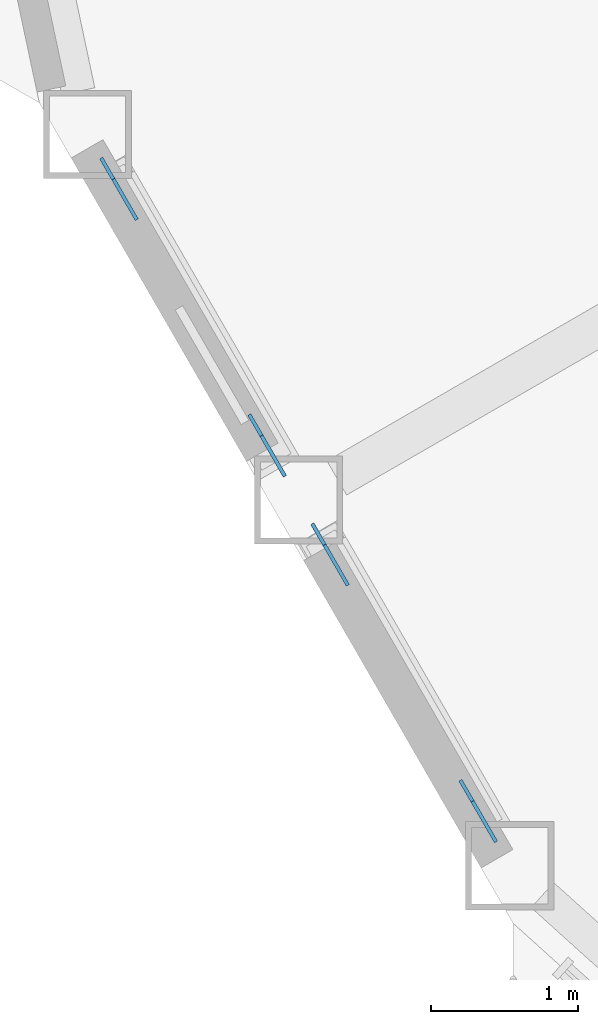
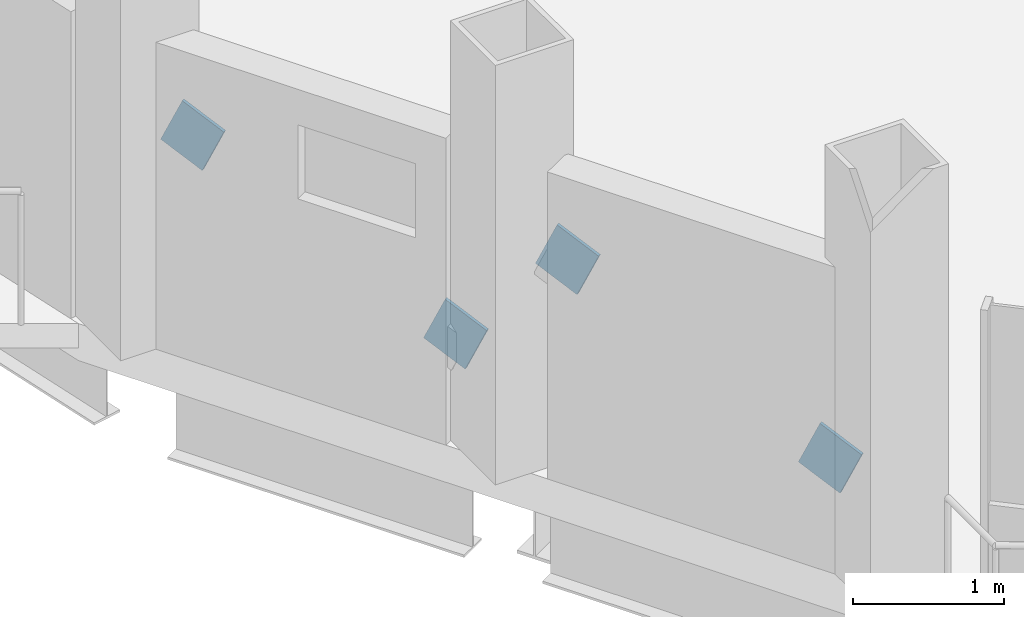
# One storey, part 19 of 26: 4 discrete accessories.
"""IFC4 building model written with IfcOpenShell, lengths in metres."""

import ifcopenshell
import ifcopenshell.guid

model = None  # the IFC model being written
_history = None  # IfcOwnerHistory: only IFC2X3 demands one
_inside = {}  # id of a spatial element -> (the spatial element, [elements in it])
_under = {}  # id of a project, library or spatial element -> (it, [spatial elements below it])
_declared = {}  # id of a project -> (the project, [libraries it declares])
_typed = {}  # id of a type object -> (the type object, [elements of that type])
_made_of = {}  # id of a material, layer set ... -> (it, [elements and type objects made of it])


def new_model(schema):
    """Start an empty IFC model of exactly this schema.

    Asked for "IFC4X3", IfcOpenShell would pick the latest addendum, in which some entities
    have other attributes; the version numbers below select the first issue.
    IFC2X3 requires an IfcOwnerHistory on every rooted entity: one is made here for all.
    """
    global model, _history
    if schema == "IFC4X3":
        model = ifcopenshell.file(schema_version=(4, 3, 0, 0))
    else:
        model = ifcopenshell.file(schema=schema)
    _inside.clear()
    _under.clear()
    _declared.clear()
    _typed.clear()
    _made_of.clear()
    _history = None
    if model.schema == "IFC2X3":
        org = make("IfcOrganization", Name="unknown")
        user = make(
            "IfcPersonAndOrganization",
            ThePerson=make("IfcPerson", FamilyName="unknown"),
            TheOrganization=org,
        )
        app = make(
            "IfcApplication",
            ApplicationDeveloper=org,
            Version="unknown",
            ApplicationFullName="unknown",
            ApplicationIdentifier="unknown",
        )
        _history = make(
            "IfcOwnerHistory",
            OwningUser=user,
            OwningApplication=app,
            ChangeAction="ADDED",
            CreationDate=0,
        )
    return model


def make(cls, **values):
    """One entity of the class cls with the attributes given. An attribute that is None is left unset."""
    return model.create_entity(
        cls, **{name: value for name, value in values.items() if value is not None}
    )


def rooted(cls, **values):
    """An entity with a GlobalId (a new one), such as an element, a storey or a relation."""
    return make(cls, GlobalId=ifcopenshell.guid.new(), OwnerHistory=_history, **values)


def si_unit(unit_type, name, prefix=None):
    """IfcSIUnit, for example si_unit("LENGTHUNIT", "METRE", prefix="MILLI")."""
    return make("IfcSIUnit", UnitType=unit_type, Prefix=prefix, Name=name)


def assignment(units):
    """IfcUnitAssignment: the units of a project."""
    return None if units is None else make("IfcUnitAssignment", Units=units)


def point(xyz):
    """IfcCartesianPoint."""
    return None if xyz is None else make("IfcCartesianPoint", Coordinates=xyz)


def direction(xyz):
    """IfcDirection."""
    return None if xyz is None else make("IfcDirection", DirectionRatios=xyz)


def frame(location, z_axis=None, x_axis=None):
    """IfcAxis2Placement3D, a coordinate frame: its origin and axes. An axis left out is left unset."""
    return make(
        "IfcAxis2Placement3D",
        Location=point(location),
        Axis=direction(z_axis),
        RefDirection=direction(x_axis),
    )


def frame_2d(location, x_axis=None):
    """IfcAxis2Placement2D, a coordinate frame in the plane: its origin and x axis."""
    return make(
        "IfcAxis2Placement2D", Location=point(location), RefDirection=direction(x_axis)
    )


def origin():
    """The frame at (0, 0, 0) with its axes left unset."""
    return frame((0.0, 0.0, 0.0))


def origin_2d():
    """The frame at (0, 0) in the plane with its x axis left unset."""
    return frame_2d((0.0, 0.0))


def place(relative_to, where):
    """IfcLocalPlacement: puts the frame where relative to a parent placement (None: the world)."""
    return make(
        "IfcLocalPlacement", PlacementRelTo=relative_to, RelativePlacement=where
    )


def context(
    kind, dimensions, precision=None, world=None, true_north=None, identifier=None
):
    """IfcGeometricRepresentationContext, for example the 3D "Model" context."""
    return make(
        "IfcGeometricRepresentationContext",
        ContextIdentifier=identifier,
        ContextType=kind,
        CoordinateSpaceDimension=dimensions,
        Precision=precision,
        WorldCoordinateSystem=world,
        TrueNorth=true_north,
    )


def subcontext(parent, identifier, kind, view, scale=None):
    """IfcGeometricRepresentationSubContext, for example "Body" below "Model"."""
    return make(
        "IfcGeometricRepresentationSubContext",
        ContextIdentifier=identifier,
        ContextType=kind,
        ParentContext=parent,
        TargetScale=scale,
        TargetView=view,
    )


def project(units=None, contexts=None):
    """IfcProject with its units and contexts."""
    return rooted(
        "IfcProject",
        Name="project",
        RepresentationContexts=contexts,
        UnitsInContext=assignment(units),
    )


def spatial(cls, under=None, at=None, **own):
    """A site, building, storey or space (cls), placed at a placement, below another one or the project."""
    s = rooted(cls, ObjectPlacement=at, **own)
    if under is not None:
        _under.setdefault(under.id(), (under, []))[1].append(s)
    return s


def profile(cls, at=None, kind="AREA", **sizes):
    """A parametric profile (cls). Its sizes go by their IFC names, for example OverallWidth=200.0."""
    return make(cls, ProfileType=kind, Position=at, **sizes)


def rectangle(**sizes):
    """IfcRectangleProfileDef."""
    return profile("IfcRectangleProfileDef", **sizes)


def extrude(swept, where, along, depth):
    """IfcExtrudedAreaSolid: the profile swept, set in the frame where, extruded along a direction by depth."""
    return make(
        "IfcExtrudedAreaSolid",
        SweptArea=swept,
        Position=where,
        ExtrudedDirection=direction(along),
        Depth=depth,
    )


def shape(context_of_items, identifier, shape_type, items):
    """IfcShapeRepresentation: the items that make up one representation, for example the "Body"."""
    return make(
        "IfcShapeRepresentation",
        ContextOfItems=context_of_items,
        RepresentationIdentifier=identifier,
        RepresentationType=shape_type,
        Items=items,
    )


def material(Name=None, Category=None):
    """IfcMaterial."""
    return make("IfcMaterial", Name=Name, Category=Category)


def material_profile(
    of_material, cross_section, Name=None, Category=None, Priority=None
):
    """IfcMaterialProfile: a cross section and its material."""
    return make(
        "IfcMaterialProfile",
        Name=Name,
        Material=of_material,
        Profile=cross_section,
        Priority=Priority,
        Category=Category,
    )


def profile_set(profiles, Name=None, composite=None):
    """IfcMaterialProfileSet."""
    return make(
        "IfcMaterialProfileSet",
        Name=Name,
        MaterialProfiles=profiles,
        CompositeProfile=composite,
    )


def made_of(thing, what):
    """Note that an element or type object is made of a material, layer set ...; save() writes the relation."""
    if what is not None:
        _made_of.setdefault(what.id(), (what, []))[1].append(thing)
    return thing


def type_object(cls, material=None, **own):
    """A type object (cls), such as IfcWallType, which elements share."""
    return made_of(rooted(cls, **own), material)


def element(
    cls,
    number,
    at=None,
    inside=None,
    cuts=None,
    type_object=None,
    material=None,
    context=None,
    identifier="Body",
    shape_type=None,
    held_by="IfcProductDefinitionShape",
    body=None,
    shapes=None,
    **own,
):
    """One element of the class cls, such as IfcWall. Its Tag is "e" and its number.

    at: its placement. inside: the storey or other place that contains it. cuts: it is an
    opening in that element (IfcRelVoidsElement). A single representation is given by context,
    identifier, shape_type and body (its items); several are given by shapes. held_by: the class
    of the entity that holds the representations. save() writes the other relations.
    """
    e = rooted(cls, Tag="e%d" % number, ObjectPlacement=at, **own)
    if body is not None:
        shapes = [shape(context, identifier, shape_type, body)]
    if shapes is not None:
        e.Representation = make(held_by, Representations=shapes)
    if inside is not None:
        _inside.setdefault(inside.id(), (inside, []))[1].append(e)
    if cuts is not None:
        rooted(
            "IfcRelVoidsElement", RelatingBuildingElement=cuts, RelatedOpeningElement=e
        )
    if type_object is not None:
        _typed.setdefault(type_object.id(), (type_object, []))[1].append(e)
    return made_of(e, material)


def aggregate(whole, parts):
    """IfcRelAggregates: a whole, such as a stair, and the parts it consists of."""
    return rooted("IfcRelAggregates", RelatingObject=whole, RelatedObjects=parts)


def save(model, path):
    """Write the relations noted so far, then the file.

    IfcRelAggregates (storeys below a building ...), IfcRelContainedInSpatialStructure (elements
    in a storey), IfcRelDefinesByType, IfcRelAssociatesMaterial and IfcRelDeclares: one each for
    every whole, place, type object, material and project.
    """
    for whole, parts in _under.values():
        aggregate(whole, parts)
    for where, things in _inside.values():
        rooted(
            "IfcRelContainedInSpatialStructure",
            RelatedElements=things,
            RelatingStructure=where,
        )
    for kind, things in _typed.values():
        rooted("IfcRelDefinesByType", RelatedObjects=things, RelatingType=kind)
    for what, things in _made_of.values():
        rooted("IfcRelAssociatesMaterial", RelatedObjects=things, RelatingMaterial=what)
    for by, libraries in _declared.values():
        rooted("IfcRelDeclares", RelatingContext=by, RelatedDefinitions=libraries)
    model.write(path)


model = new_model("IFC4")

# Units and contexts
model_context = context("Model", 3, precision=1e-05, world=origin(), true_north=direction((0.0, 1.0)))
body_context = subcontext(model_context, "Body", "Model", "MODEL_VIEW")
ifc_project = project(units=[si_unit("LENGTHUNIT", "METRE"), si_unit("AREAUNIT", "SQUARE_METRE"), si_unit("VOLUMEUNIT", "CUBIC_METRE"), si_unit("PLANEANGLEUNIT", "RADIAN"), si_unit("MASSUNIT", "GRAM", prefix="KILO")], contexts=[model_context])

# Site, building, storey
site_placement = place(None, origin())
site = spatial("IfcSite", under=ifc_project, at=site_placement, CompositionType="ELEMENT")
building_placement = place(site_placement, origin())
building = spatial("IfcBuilding", under=site, at=building_placement, Name="Cormorant Prow Tower", CompositionType="ELEMENT")
storey_placement = place(building_placement, frame((0.0, 0.0, 322.199951171875)))
storey = spatial("IfcBuildingStorey", under=building, at=storey_placement, Name="L71", CompositionType="ELEMENT", Elevation=322.199951171875)

# Discrete accessories
ifc_material = material(Name="Structural steel ASTM A500 Gr C", Category="steel")
ifc_material_profile = material_profile(ifc_material, rectangle(XDim=0.02490234375, YDim=0.405029296875, at=origin_2d()), Name="Gusset plate 25x405")
ifc_profile_set = profile_set([ifc_material_profile], Name="Structural steel ASTM A500 Gr C")
discrete_accessory_type = type_object("IfcDiscreteAccessoryType", Name="Gusset plate 25x405", PredefinedType="BRACKET", material=ifc_profile_set)
for number, where, z_axis, x_axis, name in (
    (1, (-27.7265625, -15.328369140625, 0.86376953125), (0.456239480558, -0.790396531303, -0.408801736402), (0.866071029786, 0.499920965119, 0.0), "Gusset plate GP3 L71.WSW00.g0"),
    (2, (-28.574951171875, -13.85888671875, 1.624267578125), (-0.456239480558, 0.790396531303, 0.408801736402), (-0.866071029786, -0.499920965119, 0.0), "Gusset plate GP3 L71.WSW00.g1"),
):
    element("IfcDiscreteAccessory", number, at=place(storey_placement, frame(where, z_axis=z_axis, x_axis=x_axis)), inside=storey, type_object=discrete_accessory_type, Name=name, PredefinedType="BRACKET", context=body_context, shape_type="SweptSolid", body=[
        extrude(rectangle(XDim=0.02490234375, YDim=0.405029296875, at=origin_2d()), origin(), (0.0, 0.0, 1.0), 0.349853515625),
    ])
discrete_accessory_1_placement = place(storey_placement, frame((-26.289794921875, -17.817138671875, 0.86376953125), z_axis=(0.456791619277, -0.790144892581, -0.408671586101), x_axis=(0.865740004385, 0.50049400077, 0.0)))
element("IfcDiscreteAccessory", 3, at=discrete_accessory_1_placement, inside=storey, type_object=discrete_accessory_type, Name="Gusset plate GP3 L71.WSW01.g0", PredefinedType="BRACKET", context=body_context, shape_type="SweptSolid", body=[
    extrude(rectangle(XDim=0.02490234375, YDim=0.405029296875, at=origin_2d()), origin(), (0.0, 0.0, 1.0), 0.35009765625),
])
discrete_accessory_2_placement = place(storey_placement, frame((-27.137939453125, -16.34765625, 1.624267578125), z_axis=(-0.45649114423, 0.790134518758, 0.409027233209), x_axis=(-0.865879799044, -0.500252110048, 0.0)))
element("IfcDiscreteAccessory", 4, at=discrete_accessory_2_placement, inside=storey, type_object=discrete_accessory_type, Name="Gusset plate GP3 L71.WSW01.g1", PredefinedType="BRACKET", context=body_context, shape_type="SweptSolid", body=[
    extrude(rectangle(XDim=0.02490234375, YDim=0.405029296875, at=origin_2d()), origin(), (0.0, 0.0, 1.0), 0.349853515625),
])

save(model, "model.ifc")
